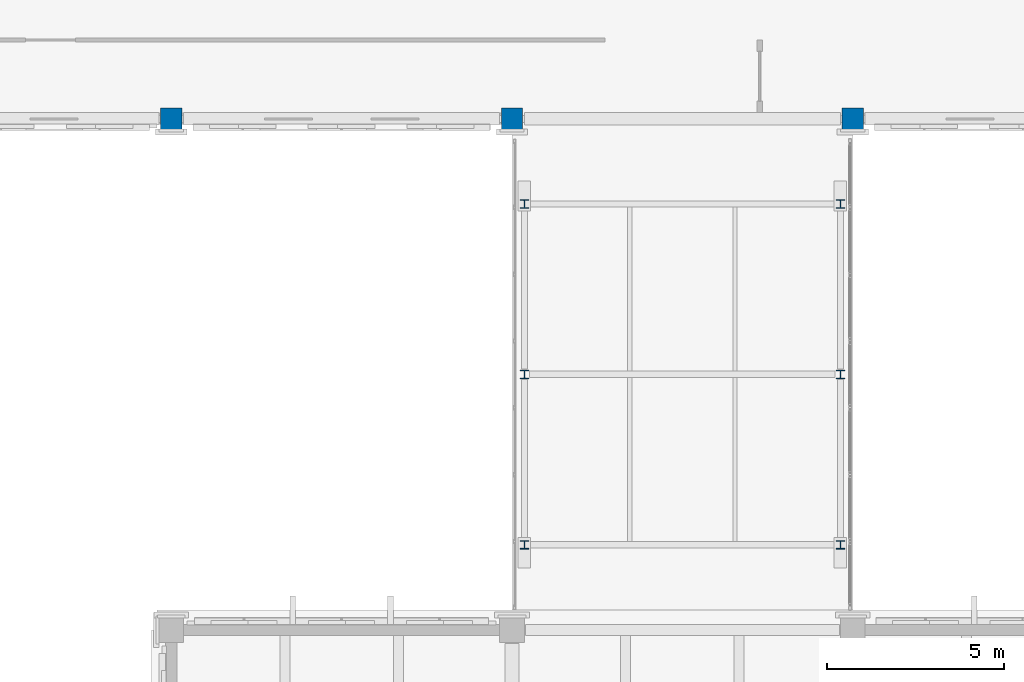
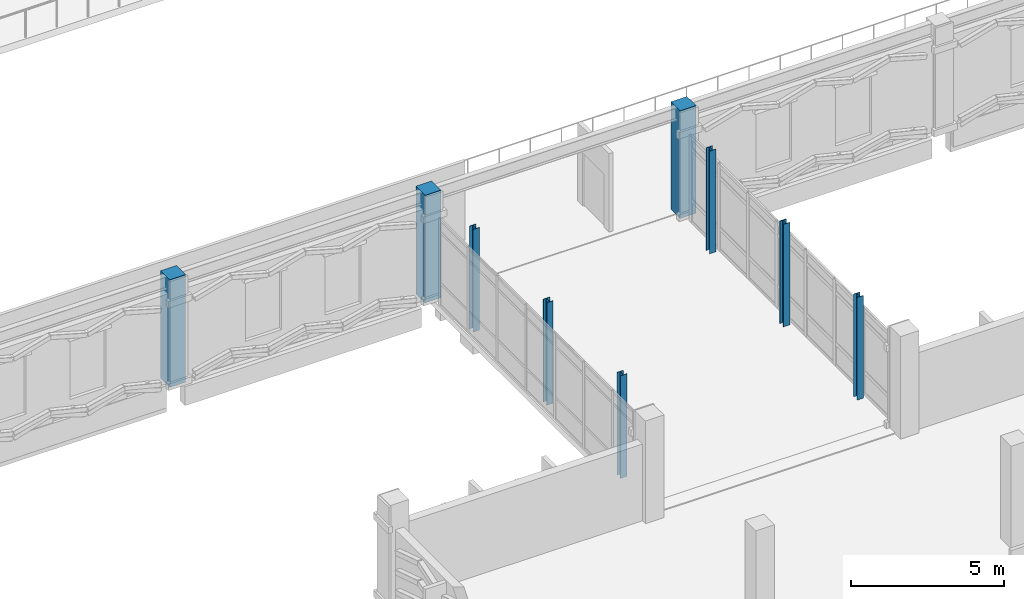
# One storey, part 7 of 180: 9 columns.
"""IFC4 building model written with IfcOpenShell, lengths in metres."""

from ifc_helpers import new_model, si_unit, direction, frame, origin, origin_2d, place, context, subcontext, project, spatial, rectangle, i_section, extrude, material, material_profile, profile_set, type_object, element, save


model = new_model("IFC4")

# Units and contexts
model_context = context("Model", 3, precision=1e-05, world=origin(), true_north=direction((0.0, 1.0)))
body_context = subcontext(model_context, "Body", "Model", "MODEL_VIEW")
ifc_project = project(units=[si_unit("LENGTHUNIT", "METRE"), si_unit("AREAUNIT", "SQUARE_METRE"), si_unit("VOLUMEUNIT", "CUBIC_METRE"), si_unit("PLANEANGLEUNIT", "RADIAN"), si_unit("MASSUNIT", "GRAM", prefix="KILO")], contexts=[model_context])

# Site, building, storey
site_placement = place(None, origin())
site = spatial("IfcSite", under=ifc_project, at=site_placement, CompositionType="ELEMENT")
building_placement = place(site_placement, origin())
building = spatial("IfcBuilding", under=site, at=building_placement, Name="Asteropetra Specialist Clinic", CompositionType="ELEMENT")
storey_placement = place(building_placement, frame((0.0, 0.0, 4.419921875)))
storey = spatial("IfcBuildingStorey", under=building, at=storey_placement, Name="L01", CompositionType="ELEMENT", Elevation=4.419921875)

# Columns
ifc_material_1 = material(Name="Concrete C35/45", Category="concrete")
ifc_material_profile_1 = material_profile(ifc_material_1, rectangle(XDim=0.60009765625, YDim=0.60009765625, at=origin_2d()), Name="RC 600x600")
ifc_profile_set_1 = profile_set([ifc_material_profile_1], Name="Concrete C35/45")
column_type_1 = type_object("IfcColumnType", Name="COL-RC600", PredefinedType="COLUMN", material=ifc_profile_set_1)
for number, where, z_axis, x_axis, name in (
    (1, (105.60009765625, 76.800048828125, 0.0), (0.0, 0.0, 1.0), (1.0, 0.0, 0.0), "Column CCOL05-0679"),
    (2, (115.199951171875, 76.800048828125, 0.0), (0.0, 0.0, 1.0), (1.0, 0.0, 0.0), "Column CCOL05-0729"),
    (3, (124.800048828125, 76.800048828125, 0.0), (0.0, 0.0, 1.0), (1.0, 0.0, 0.0), "Column CCOL05-0791"),
):
    element("IfcColumn", number, at=place(storey_placement, frame(where, z_axis=z_axis, x_axis=x_axis)), inside=storey, type_object=column_type_1, Name=name, PredefinedType="COLUMN", context=body_context, shape_type="SweptSolid", body=[
        extrude(rectangle(XDim=0.60009765625, YDim=0.60009765625, at=origin_2d()), origin(), (0.0, 0.0, 1.0), 4.280029296875),
    ])
ifc_material_2 = material(Name="Steel S355", Category="steel")
ifc_material_profile_2 = material_profile(ifc_material_2, i_section(OverallWidth=0.239990234375, OverallDepth=0.239990234375, WebThickness=0.010009765625, FlangeThickness=0.01708984375, FilletRadius=0.02099609375, at=origin_2d()), Name="HEB 240")
ifc_profile_set_2 = profile_set([ifc_material_profile_2], Name="Steel S355")
column_type_2 = type_object("IfcColumnType", Name="COL-STL-HEB240", PredefinedType="COLUMN", material=ifc_profile_set_2)
for number, where, z_axis, x_axis, name in (
    (4, (115.550048828125, 64.800048828125, 0.0), (0.0, 0.0, 1.0), (1.0, 0.0, 0.0), "Column CCOLS2-0735"),
    (5, (115.550048828125, 69.60009765625, 0.0), (0.0, 0.0, 1.0), (1.0, 0.0, 0.0), "Column CCOLS2-0737"),
    (6, (115.550048828125, 74.39990234375, 0.0), (0.0, 0.0, 1.0), (1.0, 0.0, 0.0), "Column CCOLS2-0739"),
    (7, (124.449951171875, 64.800048828125, 0.0), (0.0, 0.0, 1.0), (1.0, 0.0, 0.0), "Column CCOLS2-0741"),
    (8, (124.449951171875, 69.60009765625, 0.0), (0.0, 0.0, 1.0), (1.0, 0.0, 0.0), "Column CCOLS2-0743"),
    (9, (124.449951171875, 74.39990234375, 0.0), (0.0, 0.0, 1.0), (1.0, 0.0, 0.0), "Column CCOLS2-0745"),
):
    element("IfcColumn", number, at=place(storey_placement, frame(where, z_axis=z_axis, x_axis=x_axis)), inside=storey, type_object=column_type_2, Name=name, PredefinedType="COLUMN", context=body_context, shape_type="SweptSolid", body=[
        extrude(i_section(OverallWidth=0.239990234375, OverallDepth=0.239990234375, WebThickness=0.010009765625, FlangeThickness=0.01708984375, FilletRadius=0.02099609375, at=origin_2d()), origin(), (0.0, 0.0, 1.0), 4.080078125),
    ])

save(model, "model.ifc")
